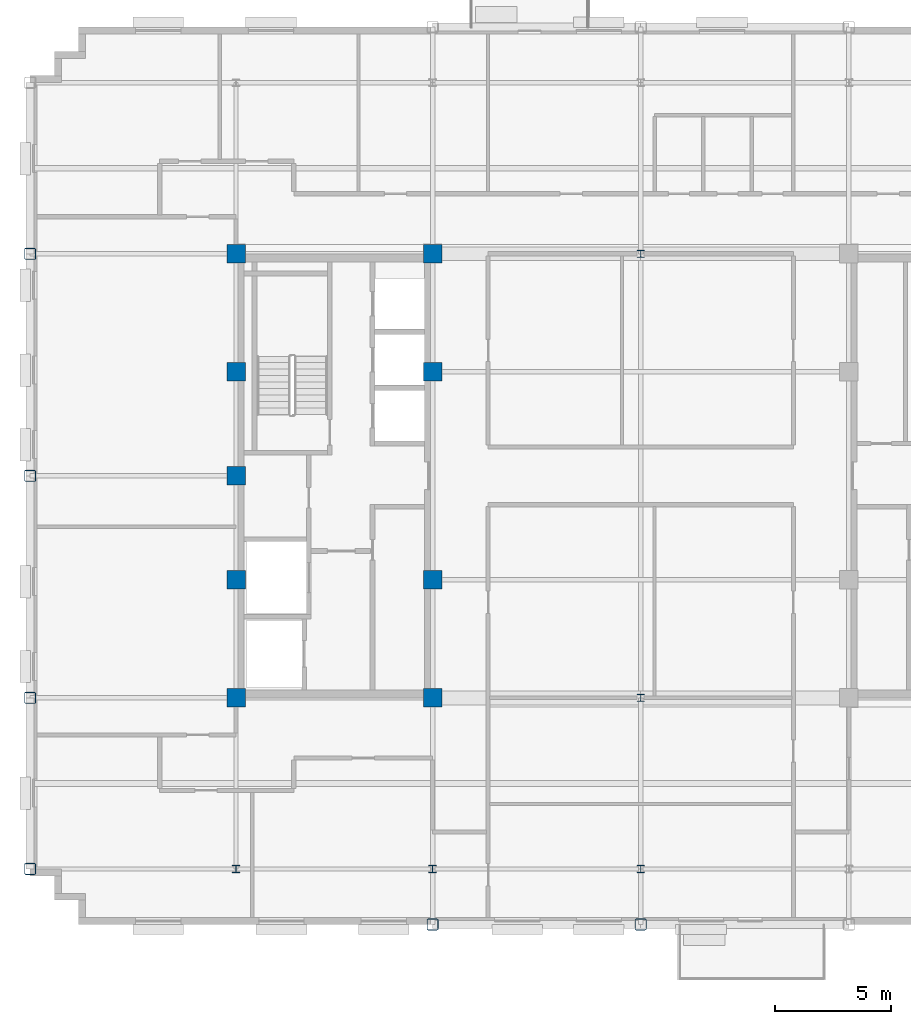
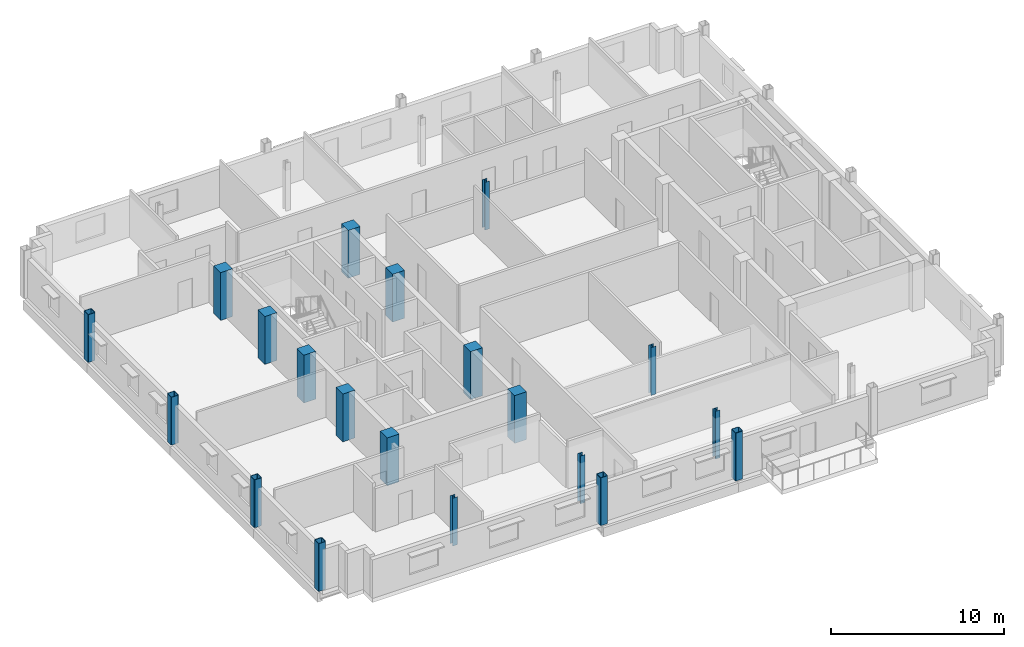
# One storey, part 1 of 13: 20 columns.
"""IFC4 building model written with IfcOpenShell, lengths in metres."""

from ifc_helpers import new_model, si_unit, direction, frame, origin, origin_2d, place, context, subcontext, project, spatial, rectangle, hollow_rectangle, i_section, extrude, material, material_profile, profile_set, type_object, element, save


model = new_model("IFC4")

# Units and contexts
model_context = context("Model", 3, precision=1e-05, world=origin(), true_north=direction((0.0, 1.0)))
body_context = subcontext(model_context, "Body", "Model", "MODEL_VIEW")
ifc_project = project(units=[si_unit("LENGTHUNIT", "METRE"), si_unit("AREAUNIT", "SQUARE_METRE"), si_unit("VOLUMEUNIT", "CUBIC_METRE"), si_unit("PLANEANGLEUNIT", "RADIAN"), si_unit("MASSUNIT", "GRAM", prefix="KILO")], contexts=[model_context])

# Site, building, storey
site_placement = place(None, origin())
site = spatial("IfcSite", under=ifc_project, at=site_placement, CompositionType="ELEMENT")
building_placement = place(site_placement, origin())
building = spatial("IfcBuilding", under=site, at=building_placement, Name="Nuvemarco Arch Tower", CompositionType="ELEMENT")
storey_placement = place(building_placement, frame((0.0, 0.0, 234.699951171875)))
storey = spatial("IfcBuildingStorey", under=building, at=storey_placement, Name="L62", CompositionType="ELEMENT", Elevation=234.699951171875)

# Columns
ifc_material_1 = material(Name="Concrete C50/60", Category="concrete")
ifc_material_profile_1 = material_profile(ifc_material_1, rectangle(XDim=0.800048828125, YDim=0.800048828125, at=origin_2d()), Name="RC-COL-800x800")
ifc_profile_set_1 = profile_set([ifc_material_profile_1], Name="Concrete C50/60")
column_type_1 = type_object("IfcColumnType", Name="COL-CORE-800", PredefinedType="COLUMN", material=ifc_profile_set_1)
for number, where, z_axis, x_axis, name in (
    (1, (-17.5, -9.60009765625, 0.0), (0.0, 0.0, 1.0), (1.0, 0.0, 0.0), "L62 column CC_-17.5_-9.6"),
    (2, (-17.5, -4.5, 0.0), (0.0, 0.0, 1.0), (1.0, 0.0, 0.0), "L62 column CC_-17.5_-4.5"),
    (3, (-17.5, 4.5, 0.0), (0.0, 0.0, 1.0), (1.0, 0.0, 0.0), "L62 column CC_-17.5_+4.5"),
    (4, (-17.5, 9.60009765625, 0.0), (0.0, 0.0, 1.0), (1.0, 0.0, 0.0), "L62 column CC_-17.5_+9.6"),
    (5, (-9.0, -9.60009765625, 0.0), (0.0, 0.0, 1.0), (1.0, 0.0, 0.0), "L62 column CC_-9.0_-9.6"),
    (6, (-9.0, -4.5, 0.0), (0.0, 0.0, 1.0), (1.0, 0.0, 0.0), "L62 column CC_-9.0_-4.5"),
    (7, (-9.0, 4.5, 0.0), (0.0, 0.0, 1.0), (1.0, 0.0, 0.0), "L62 column CC_-9.0_+4.5"),
    (8, (-9.0, 9.60009765625, 0.0), (0.0, 0.0, 1.0), (1.0, 0.0, 0.0), "L62 column CC_-9.0_+9.6"),
    (9, (-17.5, 0.0, 0.0), (0.0, 0.0, 1.0), (1.0, 0.0, 0.0), "L62 column CC_-17.5_+0.0"),
):
    element("IfcColumn", number, at=place(storey_placement, frame(where, z_axis=z_axis, x_axis=x_axis)), inside=storey, type_object=column_type_1, Name=name, PredefinedType="COLUMN", context=body_context, shape_type="SweptSolid", body=[
        extrude(rectangle(XDim=0.800048828125, YDim=0.800048828125, at=origin_2d()), origin(), (0.0, 0.0, 1.0), 3.3701171875),
    ])
ifc_material_2 = material(Name="Steel S355", Category="steel")
ifc_material_profile_2 = material_profile(ifc_material_2, hollow_rectangle(XDim=0.5, YDim=0.5, WallThickness=0.031982421875, InnerFilletRadius=0.031982421875, OuterFilletRadius=0.06396484375, at=origin_2d()), Name="SHS500x500x32")
ifc_profile_set_2 = profile_set([ifc_material_profile_2], Name="Steel S355")
column_type_2 = type_object("IfcColumnType", Name="COL-EXO-500", PredefinedType="COLUMN", material=ifc_profile_set_2)
for number, where, z_axis, x_axis, name in (
    (10, (-26.39990234375, -17.0, 0.0), (0.0, 0.0, 1.0), (1.0, 0.0, 0.0), "L62 column CX_-26.4_-17.0"),
    (11, (-26.39990234375, -9.60009765625, 0.0), (0.0, 0.0, 1.0), (1.0, 0.0, 0.0), "L62 column CX_-26.4_-9.6"),
    (12, (-26.39990234375, 0.0, 0.0), (0.0, 0.0, 1.0), (1.0, 0.0, 0.0), "L62 column CX_-26.4_+0.0"),
    (13, (-26.39990234375, 9.60009765625, 0.0), (0.0, 0.0, 1.0), (1.0, 0.0, 0.0), "L62 column CX_-26.4_+9.6"),
    (14, (-9.0, -19.39990234375, 0.0), (0.0, 0.0, 1.0), (1.0, 0.0, 0.0), "L62 column CY_-9.0_-19.4"),
    (15, (0.0, -19.39990234375, 0.0), (0.0, 0.0, 1.0), (1.0, 0.0, 0.0), "L62 column CY_+0.0_-19.4"),
):
    element("IfcColumn", number, at=place(storey_placement, frame(where, z_axis=z_axis, x_axis=x_axis)), inside=storey, type_object=column_type_2, Name=name, PredefinedType="COLUMN", context=body_context, shape_type="SweptSolid", body=[
        extrude(hollow_rectangle(XDim=0.5, YDim=0.5, WallThickness=0.031982421875, InnerFilletRadius=0.031982421875, OuterFilletRadius=0.06396484375, at=origin_2d()), origin(), (0.0, 0.0, 1.0), 3.3701171875),
    ])
ifc_material_profile_3 = material_profile(ifc_material_2, i_section(OverallWidth=0.31005859375, OverallDepth=0.31005859375, WebThickness=0.015380859375, FlangeThickness=0.015380859375, FilletRadius=0.014892578125, at=origin_2d()), Name="HP310x110")
ifc_profile_set_3 = profile_set([ifc_material_profile_3], Name="Steel S355")
column_type_3 = type_object("IfcColumnType", Name="COL-STL-HP310", PredefinedType="COLUMN", material=ifc_profile_set_3)
for number, where, z_axis, x_axis, name in (
    (16, (0.0, -17.0, 0.0), (0.0, 0.0, 1.0), (1.0, 0.0, 0.0), "L62 column CI_+0.0_-17.0"),
    (17, (0.0, -9.60009765625, 0.0), (0.0, 0.0, 1.0), (1.0, 0.0, 0.0), "L62 column CI_+0.0_-9.6"),
    (18, (0.0, 9.60009765625, 0.0), (0.0, 0.0, 1.0), (1.0, 0.0, 0.0), "L62 column CI_+0.0_+9.6"),
    (19, (-17.5, -17.0, 0.0), (0.0, 0.0, 1.0), (1.0, 0.0, 0.0), "L62 column CI_-17.5_-17.0"),
    (20, (-9.0, -17.0, 0.0), (0.0, 0.0, 1.0), (1.0, 0.0, 0.0), "L62 column CI_-9.0_-17.0"),
):
    element("IfcColumn", number, at=place(storey_placement, frame(where, z_axis=z_axis, x_axis=x_axis)), inside=storey, type_object=column_type_3, Name=name, PredefinedType="COLUMN", context=body_context, shape_type="SweptSolid", body=[
        extrude(i_section(OverallWidth=0.31005859375, OverallDepth=0.31005859375, WebThickness=0.015380859375, FlangeThickness=0.015380859375, FilletRadius=0.014892578125, at=origin_2d()), origin(), (0.0, 0.0, 1.0), 3.3701171875),
    ])

save(model, "model.ifc")
